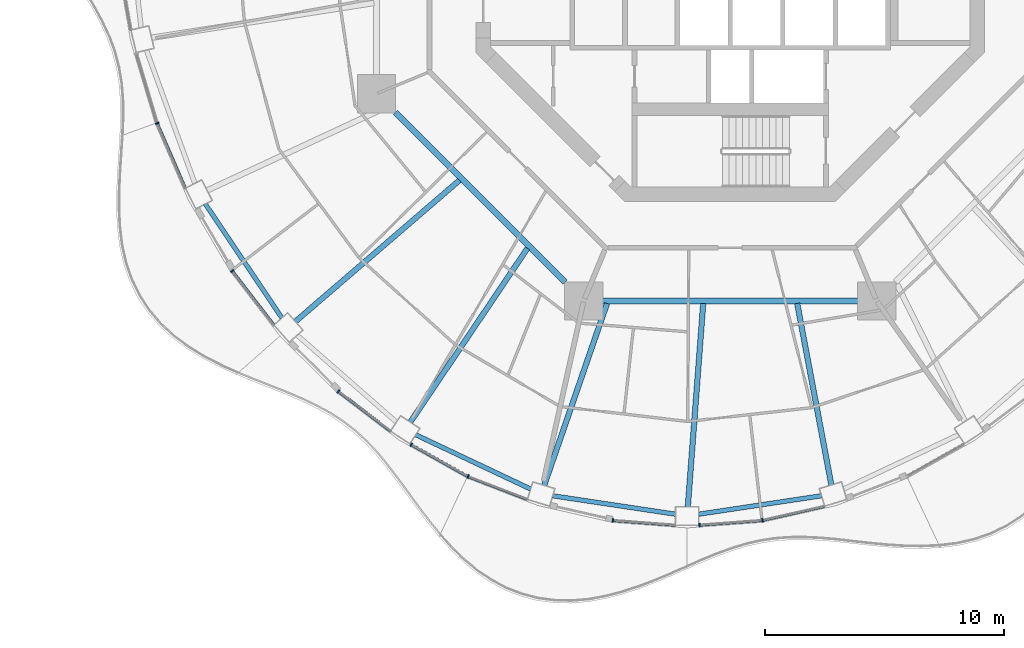
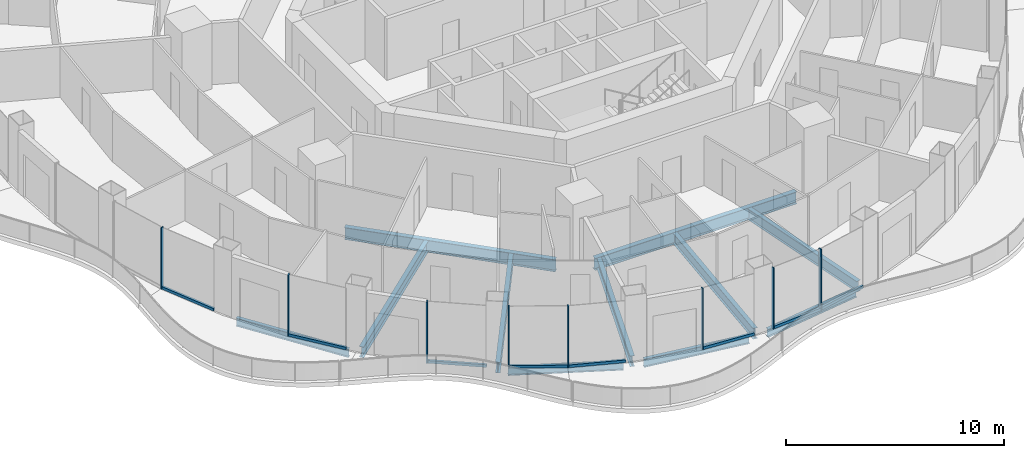
# One storey, part 2 of 18: 16 members, 11 beams, 8 elements without a shape of their own.
"""IFC4 building model written with IfcOpenShell, lengths in metres."""

from ifc_helpers import new_model, si_unit, direction, frame, origin, origin_2d, place, context, subcontext, project, spatial, rectangle, i_section, extrude, material, layer, layer_set, material_profile, profile_set, type_object, element, aggregate, save


model = new_model("IFC4")

# Units and contexts
model_context = context("Model", 3, precision=1e-05, world=origin(), true_north=direction((0.0, 1.0)))
body_context = subcontext(model_context, "Body", "Model", "MODEL_VIEW")
ifc_project = project(units=[si_unit("LENGTHUNIT", "METRE"), si_unit("AREAUNIT", "SQUARE_METRE"), si_unit("VOLUMEUNIT", "CUBIC_METRE"), si_unit("PLANEANGLEUNIT", "RADIAN"), si_unit("MASSUNIT", "GRAM", prefix="KILO")], contexts=[model_context])

# Site, building, storey
site_placement = place(None, origin())
site = spatial("IfcSite", under=ifc_project, at=site_placement, CompositionType="ELEMENT")
building_placement = place(site_placement, origin())
building = spatial("IfcBuilding", under=site, at=building_placement, Name="Nagisa Residences", CompositionType="ELEMENT")
storey_placement = place(building_placement, frame((0.0, 0.0, 230.699951171875)))
storey = spatial("IfcBuildingStorey", under=building, at=storey_placement, Name="L58", CompositionType="ELEMENT", Elevation=230.699951171875)

# Curtain wall, member
ifc_material_1 = material(Name="Concrete-coloured aluminium curtain wall system", Category="concrete")
ifc_layer = layer(ifc_material_1, 0.159912109375)
ifc_layer_set = layer_set([ifc_layer], Name="CW1 CURTAIN WALL")
curtain_wall_type = type_object("IfcCurtainWallType", Name="CW1 CURTAIN WALL", PredefinedType="NOTDEFINED", material=ifc_layer_set)
curtain_wall_1_placement = place(storey_placement, origin())
curtain_wall_1 = element("IfcCurtainWall", 1, at=curtain_wall_1_placement, inside=storey, type_object=curtain_wall_type, Name="cw:CW1:L58:27", PredefinedType="NOTDEFINED")
ifc_material_2 = material(Name="Concrete-coloured aluminium", Category="concrete")
ifc_material_profile_1 = material_profile(ifc_material_2, rectangle(XDim=0.159912109375, YDim=0.06005859375, at=origin_2d()), Name="CW1 MULLION 160x60")
ifc_profile_set_1 = profile_set([ifc_material_profile_1], Name="Concrete-coloured aluminium")
member_type_1 = type_object("IfcMemberType", Name="CW1 MULLION 160x60", PredefinedType="MULLION", material=ifc_profile_set_1)
member_1_placement = place(storey_placement, frame((-23.952392578125, -7.359619140625, 0.0), z_axis=(0.0, 0.0, 1.0), x_axis=(0.917543276295, 0.397635934147, 0.0)))
member_1 = element("IfcMember", 2, at=member_1_placement, type_object=member_type_1, Name="CW1 mullion", PredefinedType="MULLION", context=body_context, shape_type="SweptSolid", body=[
    extrude(rectangle(XDim=0.159912109375, YDim=0.06005859375, at=origin_2d()), origin(), (0.0, 0.0, 1.0), 3.43994140625),
])

curtain_wall_2_placement = place(storey_placement, origin())
curtain_wall_2 = element("IfcCurtainWall", 3, at=curtain_wall_2_placement, inside=storey, type_object=curtain_wall_type, Name="cw:CW1:L58:29", PredefinedType="NOTDEFINED")
member_2_placement = place(storey_placement, frame((-20.814453125, -13.53125, 0.0), z_axis=(0.0, 0.0, 1.0), x_axis=(0.792070340816, 0.610429828235, 0.0)))
member_2 = element("IfcMember", 4, at=member_2_placement, type_object=member_type_1, Name="CW1 mullion", PredefinedType="MULLION", context=body_context, shape_type="SweptSolid", body=[
    extrude(rectangle(XDim=0.159912109375, YDim=0.06005859375, at=origin_2d()), origin(), (0.0, 0.0, 1.0), 3.43994140625),
])

curtain_wall_3_placement = place(storey_placement, origin())
curtain_wall_3 = element("IfcCurtainWall", 5, at=curtain_wall_3_placement, inside=storey, type_object=curtain_wall_type, Name="cw:CW1:L58:31", PredefinedType="NOTDEFINED")
member_3_placement = place(storey_placement, frame((-16.380615234375, -18.566650390625, 0.0), z_axis=(0.0, 0.0, 1.0), x_axis=(0.605255421737, 0.79603132756, 0.0)))
member_3 = element("IfcMember", 6, at=member_3_placement, type_object=member_type_1, Name="CW1 mullion", PredefinedType="MULLION", context=body_context, shape_type="SweptSolid", body=[
    extrude(rectangle(XDim=0.159912109375, YDim=0.06005859375, at=origin_2d()), origin(), (0.0, 0.0, 1.0), 3.43994140625),
])

curtain_wall_4_placement = place(storey_placement, origin())
curtain_wall_4 = element("IfcCurtainWall", 7, at=curtain_wall_4_placement, inside=storey, type_object=curtain_wall_type, Name="cw:CW1:L58:32", PredefinedType="NOTDEFINED")
member_4_placement = place(storey_placement, frame((-13.333740234375, -20.792236328125, 0.0), z_axis=(0.0, 0.0, 1.0), x_axis=(0.489376918501, 0.872072377523, 0.0)))
member_4 = element("IfcMember", 8, at=member_4_placement, type_object=member_type_1, Name="CW1 mullion", PredefinedType="MULLION", context=body_context, shape_type="SweptSolid", body=[
    extrude(rectangle(XDim=0.159912109375, YDim=0.06005859375, at=origin_2d()), origin(), (0.0, 0.0, 1.0), 3.43994140625),
])

curtain_wall_5_placement = place(storey_placement, origin())
curtain_wall_5 = element("IfcCurtainWall", 9, at=curtain_wall_5_placement, inside=storey, type_object=curtain_wall_type, Name="cw:CW1:L58:33", PredefinedType="NOTDEFINED")
member_5_placement = place(storey_placement, frame((-10.954345703125, -22.12353515625, 0.0), z_axis=(0.0, 0.0, 1.0), x_axis=(0.360327770268, 0.932825759707, 0.0)))
member_5 = element("IfcMember", 10, at=member_5_placement, type_object=member_type_1, Name="CW1 mullion", PredefinedType="MULLION", context=body_context, shape_type="SweptSolid", body=[
    extrude(rectangle(XDim=0.159912109375, YDim=0.06005859375, at=origin_2d()), origin(), (0.0, 0.0, 1.0), 3.43994140625),
])

curtain_wall_6_placement = place(storey_placement, origin())
curtain_wall_6 = element("IfcCurtainWall", 11, at=curtain_wall_6_placement, inside=storey, type_object=curtain_wall_type, Name="cw:CW1:L58:35", PredefinedType="NOTDEFINED")
member_6_placement = place(storey_placement, frame((-4.906005859375, -23.96044921875, 0.0), z_axis=(0.0, 0.0, 1.0), x_axis=(0.074377355493, 0.997230168512, 0.0)))
member_6 = element("IfcMember", 12, at=member_6_placement, type_object=member_type_1, Name="CW1 mullion", PredefinedType="MULLION", context=body_context, shape_type="SweptSolid", body=[
    extrude(rectangle(XDim=0.159912109375, YDim=0.06005859375, at=origin_2d()), origin(), (0.0, 0.0, 1.0), 3.43994140625),
])

curtain_wall_7_placement = place(storey_placement, origin())
curtain_wall_7 = element("IfcCurtainWall", 13, at=curtain_wall_7_placement, inside=storey, type_object=curtain_wall_type, Name="cw:CW1:L58:36", PredefinedType="NOTDEFINED")
member_7_placement = place(storey_placement, frame((-1.27734375, -24.153076171875, 0.0), z_axis=(0.0, 0.0, 1.0), x_axis=(-0.074377355493, 0.997230168512, 0.0)))
member_7 = element("IfcMember", 14, at=member_7_placement, type_object=member_type_1, Name="CW1 mullion", PredefinedType="MULLION", context=body_context, shape_type="SweptSolid", body=[
    extrude(rectangle(XDim=0.159912109375, YDim=0.06005859375, at=origin_2d()), origin(), (0.0, 0.0, 1.0), 3.43994140625),
])

curtain_wall_8_placement = place(storey_placement, origin())
curtain_wall_8 = element("IfcCurtainWall", 15, at=curtain_wall_8_placement, inside=storey, type_object=curtain_wall_type, Name="cw:CW1:L58:37", PredefinedType="NOTDEFINED")
member_8_placement = place(storey_placement, frame((1.353271484375, -23.953369140625, 0.0), z_axis=(0.0, 0.0, 1.0), x_axis=(-0.2207639201, 0.975327274089, 0.0)))
member_8 = element("IfcMember", 16, at=member_8_placement, type_object=member_type_1, Name="CW1 mullion", PredefinedType="MULLION", context=body_context, shape_type="SweptSolid", body=[
    extrude(rectangle(XDim=0.159912109375, YDim=0.06005859375, at=origin_2d()), origin(), (0.0, 0.0, 1.0), 3.43994140625),
])

# Member
ifc_material_3 = material(Name="Concrete-coloured aluminium", Category="concrete")
ifc_material_profile_2 = material_profile(ifc_material_3, rectangle(XDim=0.1201171875, YDim=0.14990234375, at=origin_2d()), Name="CW1 TRANSOM 120x150")
ifc_profile_set_2 = profile_set([ifc_material_profile_2], Name="Concrete-coloured aluminium")
member_type_2 = type_object("IfcMemberType", Name="CW1 TRANSOM 120x150", PredefinedType="USERDEFINED", material=ifc_profile_set_2)
member_9_placement = place(storey_placement, frame((-23.96435546875, -7.332275390625, 0.074951171875), z_axis=(0.397616567135, -0.917551669139, 0.0), x_axis=(0.917551669139, 0.397616567135, 0.0)))
member_9 = element("IfcMember", 17, at=member_9_placement, type_object=member_type_2, Name="CW1 transom", ObjectType="TRANSOM", PredefinedType="USERDEFINED", context=body_context, shape_type="SweptSolid", body=[
    extrude(rectangle(XDim=0.1201171875, YDim=0.14990234375, at=origin_2d()), origin(), (0.0, 0.0, 1.0), 3.001953125),
])

aggregate(curtain_wall_1, [member_1, member_9])

member_10_placement = place(storey_placement, frame((-20.832763671875, -13.507568359375, 0.074951171875), z_axis=(0.610438565676, -0.792063607001, 0.0), x_axis=(0.792063607001, 0.610438565676, 0.0)))
member_10 = element("IfcMember", 18, at=member_10_placement, type_object=member_type_2, Name="CW1 transom", ObjectType="TRANSOM", PredefinedType="USERDEFINED", context=body_context, shape_type="SweptSolid", body=[
    extrude(rectangle(XDim=0.1201171875, YDim=0.14990234375, at=origin_2d()), origin(), (0.0, 0.0, 1.0), 2.90087890625),
])

aggregate(curtain_wall_2, [member_2, member_10])

member_11_placement = place(storey_placement, frame((-16.404541015625, -18.548583984375, 0.074951171875), z_axis=(0.796064337132, -0.605212005124, 0.0), x_axis=(0.605212005124, 0.796064337132, 0.0)))
member_11 = element("IfcMember", 19, at=member_11_placement, type_object=member_type_2, Name="CW1 transom", ObjectType="TRANSOM", PredefinedType="USERDEFINED", context=body_context, shape_type="SweptSolid", body=[
    extrude(rectangle(XDim=0.1201171875, YDim=0.14990234375, at=origin_2d()), origin(), (0.0, 0.0, 1.0), 2.78857421875),
])

aggregate(curtain_wall_3, [member_3, member_11])

member_12_placement = place(storey_placement, frame((-13.35986328125, -20.777587890625, 0.074951171875), z_axis=(0.872063230277, -0.489393218586, 0.0), x_axis=(0.489393218586, 0.872063230277, 0.0)))
member_12 = element("IfcMember", 20, at=member_12_placement, type_object=member_type_2, Name="CW1 transom", ObjectType="TRANSOM", PredefinedType="USERDEFINED", context=body_context, shape_type="SweptSolid", body=[
    extrude(rectangle(XDim=0.1201171875, YDim=0.14990234375, at=origin_2d()), origin(), (0.0, 0.0, 1.0), 2.73828125),
])

aggregate(curtain_wall_4, [member_4, member_12])

member_13_placement = place(storey_placement, frame((-10.982421875, -22.11279296875, 0.074951171875), z_axis=(0.932838255163, -0.360295420044, 0.0), x_axis=(0.360295420044, 0.932838255163, 0.0)))
member_13 = element("IfcMember", 21, at=member_13_placement, type_object=member_type_2, Name="CW1 transom", ObjectType="TRANSOM", PredefinedType="USERDEFINED", context=body_context, shape_type="SweptSolid", body=[
    extrude(rectangle(XDim=0.1201171875, YDim=0.14990234375, at=origin_2d()), origin(), (0.0, 0.0, 1.0), 2.6962890625),
])

aggregate(curtain_wall_5, [member_5, member_13])

member_14_placement = place(storey_placement, frame((-4.935791015625, -23.958251953125, 0.074951171875), z_axis=(0.997233213085, -0.074336523458, 0.0), x_axis=(0.074336523458, 0.997233213085, 0.0)))
member_14 = element("IfcMember", 22, at=member_14_placement, type_object=member_type_2, Name="CW1 transom", ObjectType="TRANSOM", PredefinedType="USERDEFINED", context=body_context, shape_type="SweptSolid", body=[
    extrude(rectangle(XDim=0.1201171875, YDim=0.14990234375, at=origin_2d()), origin(), (0.0, 0.0, 1.0), 2.650390625),
])

aggregate(curtain_wall_6, [member_6, member_14])

member_15_placement = place(storey_placement, frame((-1.307373046875, -24.1552734375, 0.074951171875), z_axis=(0.997233213085, 0.074336523458, 0.0), x_axis=(-0.074336523458, 0.997233213085, 0.0)))
member_15 = element("IfcMember", 23, at=member_15_placement, type_object=member_type_2, Name="CW1 transom", ObjectType="TRANSOM", PredefinedType="USERDEFINED", context=body_context, shape_type="SweptSolid", body=[
    extrude(rectangle(XDim=0.1201171875, YDim=0.14990234375, at=origin_2d()), origin(), (0.0, 0.0, 1.0), 2.650390625),
])

aggregate(curtain_wall_7, [member_7, member_15])

member_16_placement = place(storey_placement, frame((1.32421875, -23.9599609375, 0.074951171875), z_axis=(0.975324089124, 0.220777990694, 0.0), x_axis=(-0.220777990694, 0.975324089124, 0.0)))
member_16 = element("IfcMember", 24, at=member_16_placement, type_object=member_type_2, Name="CW1 transom", ObjectType="TRANSOM", PredefinedType="USERDEFINED", context=body_context, shape_type="SweptSolid", body=[
    extrude(rectangle(XDim=0.1201171875, YDim=0.14990234375, at=origin_2d()), origin(), (0.0, 0.0, 1.0), 2.666015625),
])

aggregate(curtain_wall_8, [member_8, member_16])

# Beams
ifc_material_4 = material(Name="Steel ASTM A572 Gr 50", Category="steel")
ifc_material_profile_3 = material_profile(ifc_material_4, i_section(OverallWidth=0.2529296875, OverallDepth=0.677978515625, WebThickness=0.01171875, FlangeThickness=0.016357421875, at=origin_2d()), Name="W690x125")
ifc_profile_set_3 = profile_set([ifc_material_profile_3], Name="Steel ASTM A572 Gr 50")
beam_type_1 = type_object("IfcBeamType", Name="Inner ring beam W690x125", PredefinedType="BEAM", material=ifc_profile_set_3)
beam_1_placement = place(storey_placement, frame((-13.99609375, -6.90869140625, -0.598876953125), z_axis=(0.707106781187, -0.707106781187, 0.0), x_axis=(0.707106781187, 0.707106781187, 0.0)))
element("IfcBeam", 25, at=beam_1_placement, inside=storey, type_object=beam_type_1, Name="beam:L58:ib5", PredefinedType="BEAM", context=body_context, shape_type="SweptSolid", body=[
    extrude(i_section(OverallWidth=0.2529296875, OverallDepth=0.677978515625, WebThickness=0.01171875, FlangeThickness=0.016357421875, at=origin_2d()), origin(), (0.0, 0.0, 1.0), 10.023193359375),
])
beam_2_placement = place(storey_placement, frame((-5.343017578125, -14.781982421875, -0.598876953125), z_axis=(1.0, 0.0, 0.0), x_axis=(0.0, 1.0, 0.0)))
element("IfcBeam", 26, at=beam_2_placement, inside=storey, type_object=beam_type_1, Name="beam:L58:ib6", PredefinedType="BEAM", context=body_context, shape_type="SweptSolid", body=[
    extrude(i_section(OverallWidth=0.2529296875, OverallDepth=0.677978515625, WebThickness=0.01171875, FlangeThickness=0.016357421875, at=origin_2d()), origin(), (0.0, 0.0, 1.0), 10.68603515625),
])
ifc_material_5 = material(Name="Steel ASTM A572 Gr 50", Category="steel")
ifc_material_profile_4 = material_profile(ifc_material_5, i_section(OverallWidth=0.18994140625, OverallDepth=0.45703125, WebThickness=0.009033203125, FlangeThickness=0.014404296875, at=origin_2d()), Name="W460x74")
ifc_profile_set_4 = profile_set([ifc_material_profile_4], Name="Steel ASTM A572 Gr 50")
beam_type_2 = type_object("IfcBeamType", Name="Perimeter ring beam W460x74", PredefinedType="BEAM", material=ifc_profile_set_4)
beam_3_placement = place(storey_placement, frame((-21.942138671875, -10.728759765625, -0.488525390625), z_axis=(0.558079852096, -0.829787249049, 0.0), x_axis=(0.829787249049, 0.558079852096, 0.0)))
element("IfcBeam", 27, at=beam_3_placement, inside=storey, type_object=beam_type_2, Name="beam:L58:pb15", PredefinedType="BEAM", context=body_context, shape_type="SweptSolid", body=[
    extrude(i_section(OverallWidth=0.18994140625, OverallDepth=0.45703125, WebThickness=0.009033203125, FlangeThickness=0.014404296875, at=origin_2d()), origin(), (0.0, 0.0, 1.0), 5.743408203125),
])
beam_4_placement = place(storey_placement, frame((-13.146484375, -20.376953125, -0.488525390625), z_axis=(0.904133867308, -0.42724928319, 0.0), x_axis=(0.42724928319, 0.904133867308, 0.0)))
element("IfcBeam", 28, at=beam_4_placement, inside=storey, type_object=beam_type_2, Name="beam:L58:pb17", PredefinedType="BEAM", context=body_context, shape_type="SweptSolid", body=[
    extrude(i_section(OverallWidth=0.18994140625, OverallDepth=0.45703125, WebThickness=0.009033203125, FlangeThickness=0.014404296875, at=origin_2d()), origin(), (0.0, 0.0, 1.0), 5.317138671875),
])
for number, where, z_axis, x_axis, name in (
    (29, (-7.42041015625, -22.92822265625, -0.488525390625), (0.988909463745, -0.148519603133, 0.0), (0.148519603133, 0.988909463745, 0.0), "beam:L58:pb18"),
    (30, (-1.31982421875, -23.7001953125, -0.488525390625), (0.988909463745, 0.148519603133, 0.0), (-0.148519603133, 0.988909463745, 0.0), "beam:L58:pb19"),
):
    element("IfcBeam", number, at=place(storey_placement, frame(where, z_axis=z_axis, x_axis=x_axis)), inside=storey, type_object=beam_type_2, Name=name, PredefinedType="BEAM", context=body_context, shape_type="SweptSolid", body=[
        extrude(i_section(OverallWidth=0.18994140625, OverallDepth=0.45703125, WebThickness=0.009033203125, FlangeThickness=0.014404296875, at=origin_2d()), origin(), (0.0, 0.0, 1.0), 5.19775390625),
    ])
ifc_material_6 = material(Name="Steel ASTM A572 Gr 50", Category="steel")
ifc_material_profile_5 = material_profile(ifc_material_6, i_section(OverallWidth=0.22802734375, OverallDepth=0.60302734375, WebThickness=0.010498046875, FlangeThickness=0.014892578125, at=origin_2d()), Name="W610x101")
ifc_profile_set_5 = profile_set([ifc_material_profile_5], Name="Steel ASTM A572 Gr 50")
beam_type_3 = type_object("IfcBeamType", Name="Radial beam W610x101", PredefinedType="BEAM", material=ifc_profile_set_5)
beam_5_placement = place(storey_placement, frame((-18.178466796875, -15.6484375, -0.5615234375), z_axis=(0.7578828397, 0.652390681485, 0.0), x_axis=(-0.652390681485, 0.7578828397, 0.0)))
element("IfcBeam", 31, at=beam_5_placement, inside=storey, type_object=beam_type_3, Name="beam:L58:rb16", PredefinedType="BEAM", context=body_context, shape_type="SweptSolid", body=[
    extrude(i_section(OverallWidth=0.22802734375, OverallDepth=0.60302734375, WebThickness=0.010498046875, FlangeThickness=0.014892578125, at=origin_2d()), origin(), (0.0, 0.0, 1.0), 9.055908203125),
])
beam_6_placement = place(storey_placement, frame((-13.372802734375, -19.8544921875, -0.5615234375), z_axis=(0.558639079644, 0.829410862416, 0.0), x_axis=(-0.829410862416, 0.558639079644, 0.0)))
element("IfcBeam", 32, at=beam_6_placement, inside=storey, type_object=beam_type_3, Name="beam:L58:rb17", PredefinedType="BEAM", context=body_context, shape_type="SweptSolid", body=[
    extrude(i_section(OverallWidth=0.22802734375, OverallDepth=0.60302734375, WebThickness=0.010498046875, FlangeThickness=0.014892578125, at=origin_2d()), origin(), (0.0, 0.0, 1.0), 8.7685546875),
])
beam_7_placement = place(storey_placement, frame((-7.776123046875, -22.49658203125, -0.5615234375), z_axis=(0.32669171318, 0.945130956291, 0.0), x_axis=(-0.945130956291, 0.32669171318, 0.0)))
element("IfcBeam", 33, at=beam_7_placement, inside=storey, type_object=beam_type_3, Name="beam:L58:rb18", PredefinedType="BEAM", context=body_context, shape_type="SweptSolid", body=[
    extrude(i_section(OverallWidth=0.22802734375, OverallDepth=0.60302734375, WebThickness=0.010498046875, FlangeThickness=0.014892578125, at=origin_2d()), origin(), (0.0, 0.0, 1.0), 8.048583984375),
])
beam_8_placement = place(storey_placement, frame((-1.771240234375, -23.392333984375, -0.5615234375), z_axis=(0.075492377513, 0.997146378892, 0.0), x_axis=(-0.997146378892, 0.075492377513, 0.0)))
element("IfcBeam", 34, at=beam_8_placement, inside=storey, type_object=beam_type_3, Name="beam:L58:rb19", PredefinedType="BEAM", context=body_context, shape_type="SweptSolid", body=[
    extrude(i_section(OverallWidth=0.22802734375, OverallDepth=0.60302734375, WebThickness=0.010498046875, FlangeThickness=0.014892578125, at=origin_2d()), origin(), (0.0, 0.0, 1.0), 8.528076171875),
])
beam_9_placement = place(storey_placement, frame((4.229736328125, -22.480224609375, -0.5615234375), z_axis=(-0.184925861179, 0.982752474363, 0.0), x_axis=(-0.982752474363, -0.184925861179, 0.0)))
element("IfcBeam", 35, at=beam_9_placement, inside=storey, type_object=beam_type_3, Name="beam:L58:rb20", PredefinedType="BEAM", context=body_context, shape_type="SweptSolid", body=[
    extrude(i_section(OverallWidth=0.22802734375, OverallDepth=0.60302734375, WebThickness=0.010498046875, FlangeThickness=0.014892578125, at=origin_2d()), origin(), (0.0, 0.0, 1.0), 7.724609375),
])

save(model, "model.ifc")
